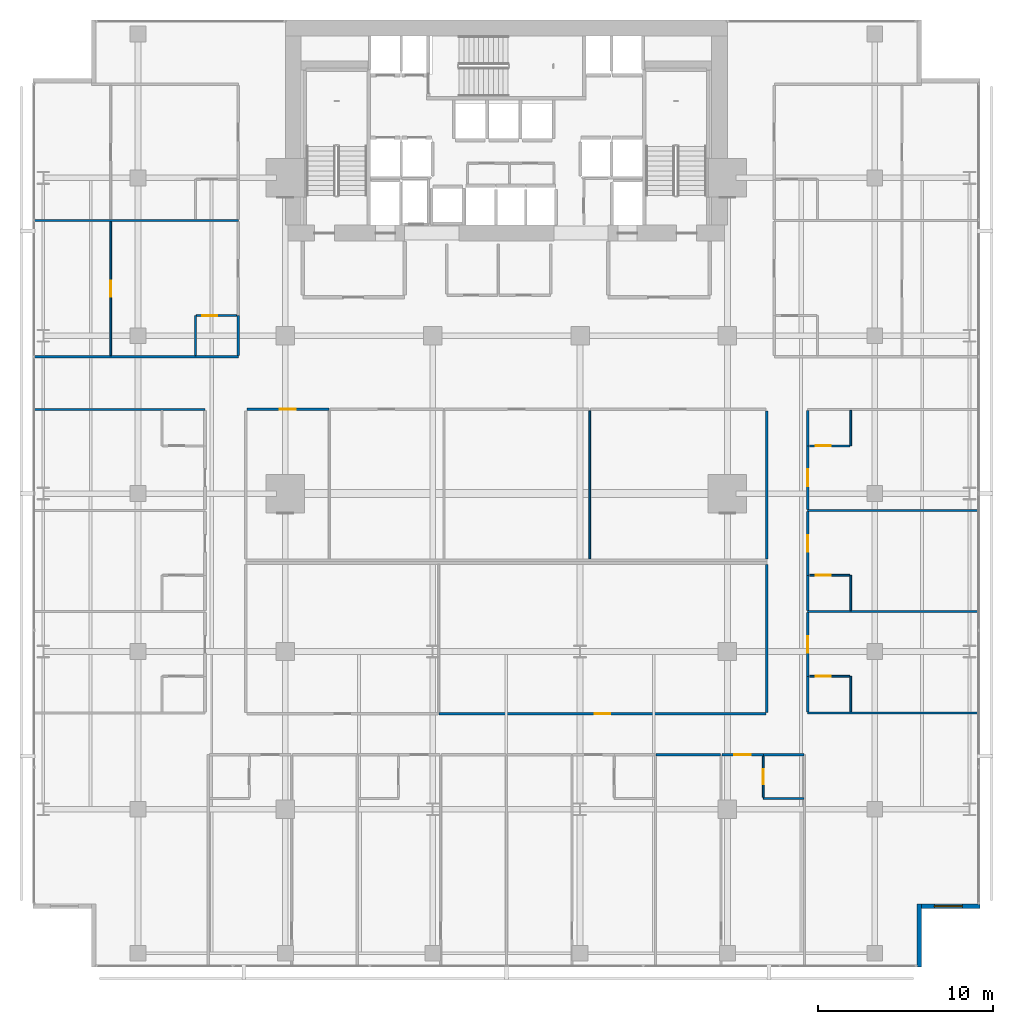
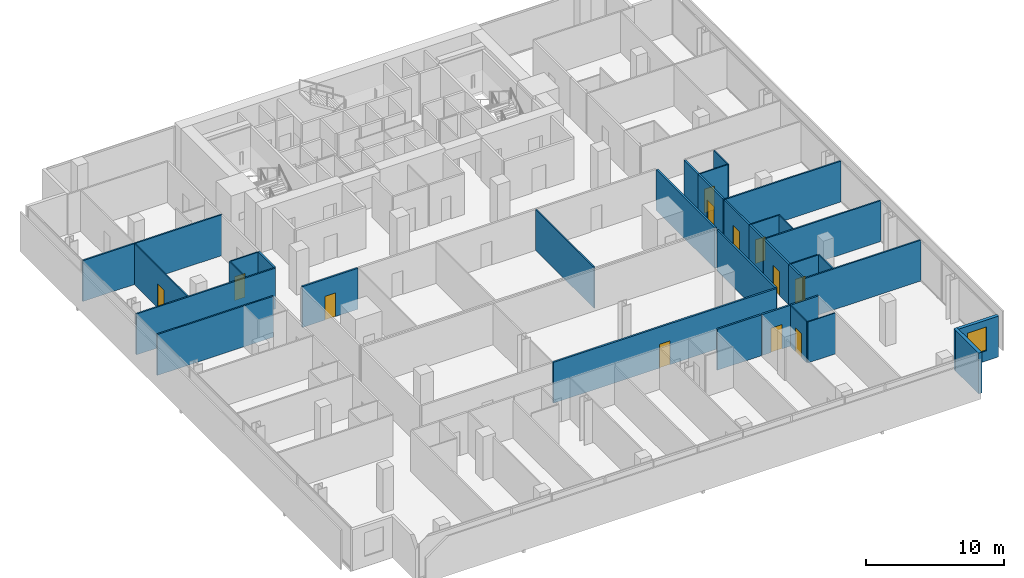
# One storey, part 34 of 40: 34 walls, 12 doors, 1 window, 13 openings.
"""IFC4 building model written with IfcOpenShell, lengths in metres."""

import ifcopenshell
import ifcopenshell.guid

model = None  # the IFC model being written
_history = None  # IfcOwnerHistory: only IFC2X3 demands one
_inside = {}  # id of a spatial element -> (the spatial element, [elements in it])
_under = {}  # id of a project, library or spatial element -> (it, [spatial elements below it])
_declared = {}  # id of a project -> (the project, [libraries it declares])
_typed = {}  # id of a type object -> (the type object, [elements of that type])
_made_of = {}  # id of a material, layer set ... -> (it, [elements and type objects made of it])


def new_model(schema):
    """Start an empty IFC model of exactly this schema.

    Asked for "IFC4X3", IfcOpenShell would pick the latest addendum, in which some entities
    have other attributes; the version numbers below select the first issue.
    IFC2X3 requires an IfcOwnerHistory on every rooted entity: one is made here for all.
    """
    global model, _history
    if schema == "IFC4X3":
        model = ifcopenshell.file(schema_version=(4, 3, 0, 0))
    else:
        model = ifcopenshell.file(schema=schema)
    _inside.clear()
    _under.clear()
    _declared.clear()
    _typed.clear()
    _made_of.clear()
    _history = None
    if model.schema == "IFC2X3":
        org = make("IfcOrganization", Name="unknown")
        user = make(
            "IfcPersonAndOrganization",
            ThePerson=make("IfcPerson", FamilyName="unknown"),
            TheOrganization=org,
        )
        app = make(
            "IfcApplication",
            ApplicationDeveloper=org,
            Version="unknown",
            ApplicationFullName="unknown",
            ApplicationIdentifier="unknown",
        )
        _history = make(
            "IfcOwnerHistory",
            OwningUser=user,
            OwningApplication=app,
            ChangeAction="ADDED",
            CreationDate=0,
        )
    return model


def make(cls, **values):
    """One entity of the class cls with the attributes given. An attribute that is None is left unset."""
    return model.create_entity(
        cls, **{name: value for name, value in values.items() if value is not None}
    )


def rooted(cls, **values):
    """An entity with a GlobalId (a new one), such as an element, a storey or a relation."""
    return make(cls, GlobalId=ifcopenshell.guid.new(), OwnerHistory=_history, **values)


def si_unit(unit_type, name, prefix=None):
    """IfcSIUnit, for example si_unit("LENGTHUNIT", "METRE", prefix="MILLI")."""
    return make("IfcSIUnit", UnitType=unit_type, Prefix=prefix, Name=name)


def assignment(units):
    """IfcUnitAssignment: the units of a project."""
    return None if units is None else make("IfcUnitAssignment", Units=units)


def point(xyz):
    """IfcCartesianPoint."""
    return None if xyz is None else make("IfcCartesianPoint", Coordinates=xyz)


def direction(xyz):
    """IfcDirection."""
    return None if xyz is None else make("IfcDirection", DirectionRatios=xyz)


def frame(location, z_axis=None, x_axis=None):
    """IfcAxis2Placement3D, a coordinate frame: its origin and axes. An axis left out is left unset."""
    return make(
        "IfcAxis2Placement3D",
        Location=point(location),
        Axis=direction(z_axis),
        RefDirection=direction(x_axis),
    )


def frame_2d(location, x_axis=None):
    """IfcAxis2Placement2D, a coordinate frame in the plane: its origin and x axis."""
    return make(
        "IfcAxis2Placement2D", Location=point(location), RefDirection=direction(x_axis)
    )


def origin():
    """The frame at (0, 0, 0) with its axes left unset."""
    return frame((0.0, 0.0, 0.0))


def place(relative_to, where):
    """IfcLocalPlacement: puts the frame where relative to a parent placement (None: the world)."""
    return make(
        "IfcLocalPlacement", PlacementRelTo=relative_to, RelativePlacement=where
    )


def context(
    kind, dimensions, precision=None, world=None, true_north=None, identifier=None
):
    """IfcGeometricRepresentationContext, for example the 3D "Model" context."""
    return make(
        "IfcGeometricRepresentationContext",
        ContextIdentifier=identifier,
        ContextType=kind,
        CoordinateSpaceDimension=dimensions,
        Precision=precision,
        WorldCoordinateSystem=world,
        TrueNorth=true_north,
    )


def subcontext(parent, identifier, kind, view, scale=None):
    """IfcGeometricRepresentationSubContext, for example "Body" below "Model"."""
    return make(
        "IfcGeometricRepresentationSubContext",
        ContextIdentifier=identifier,
        ContextType=kind,
        ParentContext=parent,
        TargetScale=scale,
        TargetView=view,
    )


def project(units=None, contexts=None):
    """IfcProject with its units and contexts."""
    return rooted(
        "IfcProject",
        Name="project",
        RepresentationContexts=contexts,
        UnitsInContext=assignment(units),
    )


def spatial(cls, under=None, at=None, **own):
    """A site, building, storey or space (cls), placed at a placement, below another one or the project."""
    s = rooted(cls, ObjectPlacement=at, **own)
    if under is not None:
        _under.setdefault(under.id(), (under, []))[1].append(s)
    return s


def profile(cls, at=None, kind="AREA", **sizes):
    """A parametric profile (cls). Its sizes go by their IFC names, for example OverallWidth=200.0."""
    return make(cls, ProfileType=kind, Position=at, **sizes)


def rectangle(**sizes):
    """IfcRectangleProfileDef."""
    return profile("IfcRectangleProfileDef", **sizes)


def extrude(swept, where, along, depth):
    """IfcExtrudedAreaSolid: the profile swept, set in the frame where, extruded along a direction by depth."""
    return make(
        "IfcExtrudedAreaSolid",
        SweptArea=swept,
        Position=where,
        ExtrudedDirection=direction(along),
        Depth=depth,
    )


def shape(context_of_items, identifier, shape_type, items):
    """IfcShapeRepresentation: the items that make up one representation, for example the "Body"."""
    return make(
        "IfcShapeRepresentation",
        ContextOfItems=context_of_items,
        RepresentationIdentifier=identifier,
        RepresentationType=shape_type,
        Items=items,
    )


def material(Name=None, Category=None):
    """IfcMaterial."""
    return make("IfcMaterial", Name=Name, Category=Category)


def layer(
    of_material, thickness, ventilated=None, Name=None, Category=None, Priority=None
):
    """IfcMaterialLayer: one layer of a wall or slab, of a material (None: an air gap)."""
    return make(
        "IfcMaterialLayer",
        Material=of_material,
        LayerThickness=thickness,
        IsVentilated=ventilated,
        Name=Name,
        Category=Category,
        Priority=Priority,
    )


def layer_set(layers, Name=None):
    """IfcMaterialLayerSet."""
    return make("IfcMaterialLayerSet", MaterialLayers=layers, LayerSetName=Name)


def made_of(thing, what):
    """Note that an element or type object is made of a material, layer set ...; save() writes the relation."""
    if what is not None:
        _made_of.setdefault(what.id(), (what, []))[1].append(thing)
    return thing


def type_object(cls, material=None, **own):
    """A type object (cls), such as IfcWallType, which elements share."""
    return made_of(rooted(cls, **own), material)


def element(
    cls,
    number,
    at=None,
    inside=None,
    cuts=None,
    type_object=None,
    material=None,
    context=None,
    identifier="Body",
    shape_type=None,
    held_by="IfcProductDefinitionShape",
    body=None,
    shapes=None,
    **own,
):
    """One element of the class cls, such as IfcWall. Its Tag is "e" and its number.

    at: its placement. inside: the storey or other place that contains it. cuts: it is an
    opening in that element (IfcRelVoidsElement). A single representation is given by context,
    identifier, shape_type and body (its items); several are given by shapes. held_by: the class
    of the entity that holds the representations. save() writes the other relations.
    """
    e = rooted(cls, Tag="e%d" % number, ObjectPlacement=at, **own)
    if body is not None:
        shapes = [shape(context, identifier, shape_type, body)]
    if shapes is not None:
        e.Representation = make(held_by, Representations=shapes)
    if inside is not None:
        _inside.setdefault(inside.id(), (inside, []))[1].append(e)
    if cuts is not None:
        rooted(
            "IfcRelVoidsElement", RelatingBuildingElement=cuts, RelatedOpeningElement=e
        )
    if type_object is not None:
        _typed.setdefault(type_object.id(), (type_object, []))[1].append(e)
    return made_of(e, material)


def fill(opening, filler):
    """IfcRelFillsElement: the door or window that sits in an opening."""
    return rooted(
        "IfcRelFillsElement",
        RelatingOpeningElement=opening,
        RelatedBuildingElement=filler,
    )


def aggregate(whole, parts):
    """IfcRelAggregates: a whole, such as a stair, and the parts it consists of."""
    return rooted("IfcRelAggregates", RelatingObject=whole, RelatedObjects=parts)


def save(model, path):
    """Write the relations noted so far, then the file.

    IfcRelAggregates (storeys below a building ...), IfcRelContainedInSpatialStructure (elements
    in a storey), IfcRelDefinesByType, IfcRelAssociatesMaterial and IfcRelDeclares: one each for
    every whole, place, type object, material and project.
    """
    for whole, parts in _under.values():
        aggregate(whole, parts)
    for where, things in _inside.values():
        rooted(
            "IfcRelContainedInSpatialStructure",
            RelatedElements=things,
            RelatingStructure=where,
        )
    for kind, things in _typed.values():
        rooted("IfcRelDefinesByType", RelatedObjects=things, RelatingType=kind)
    for what, things in _made_of.values():
        rooted("IfcRelAssociatesMaterial", RelatedObjects=things, RelatingMaterial=what)
    for by, libraries in _declared.values():
        rooted("IfcRelDeclares", RelatingContext=by, RelatedDefinitions=libraries)
    model.write(path)


model = new_model("IFC4")

# Units and contexts
model_context = context("Model", 3, precision=1e-05, world=origin(), true_north=direction((0.0, 1.0)))
body_context = subcontext(model_context, "Body", "Model", "MODEL_VIEW")
ifc_project = project(units=[si_unit("LENGTHUNIT", "METRE"), si_unit("AREAUNIT", "SQUARE_METRE"), si_unit("VOLUMEUNIT", "CUBIC_METRE"), si_unit("PLANEANGLEUNIT", "RADIAN"), si_unit("MASSUNIT", "GRAM", prefix="KILO")], contexts=[model_context])

# Site, building, storey
site_placement = place(None, origin())
site = spatial("IfcSite", under=ifc_project, at=site_placement, CompositionType="ELEMENT")
building_placement = place(site_placement, origin())
building = spatial("IfcBuilding", under=site, at=building_placement, Name="Maruvema Waterfront Hotel and Observation Tower", CompositionType="ELEMENT")
storey_placement = place(building_placement, frame((0.0, 0.0, 96.25)))
storey = spatial("IfcBuildingStorey", under=building, at=storey_placement, Name="L23", CompositionType="ELEMENT", Elevation=96.25)

# Wall
ifc_material_1 = material(Name="Twin-stud acoustic gypsum drywall", Category="gypsum")
ifc_layer_1 = layer(ifc_material_1, 0.14990234375, Name="Acoustic Corridor and Suite Demising Wall 150 mm")
ifc_layer_set_1 = layer_set([ifc_layer_1], Name="Twin-stud acoustic gypsum drywall")
wall_type_1 = type_object("IfcWallType", Name="Acoustic Corridor and Suite Demising Wall 150 mm", PredefinedType="PARTITIONING", material=ifc_layer_set_1)
wall_1_placement = place(storey_placement, frame((52.64990234375, 23.280029296875, 0.0), z_axis=(0.0, 0.0, 1.0), x_axis=(0.0, 1.0, 0.0)))
element("IfcWall", 1, at=wall_1_placement, inside=storey, type_object=wall_type_1, Name="L23 L23-INTN East Wall 024", PredefinedType="PARTITIONING", context=body_context, shape_type="SweptSolid", body=[
    extrude(rectangle(XDim=8.43994140625, YDim=0.14990234375, at=frame_2d((4.219970703125, 0.0))), origin(), (0.0, 0.0, 1.0), 3.610107421875),
])

# Wall, opening, door
wall_2_placement = place(storey_placement, frame((23.010009765625, 31.800048828125, 0.0), z_axis=(0.0, 0.0, 1.0), x_axis=(1.0, 0.0, 0.0)))
wall_2 = element("IfcWall", 2, at=wall_2_placement, inside=storey, type_object=wall_type_1, Name="L23 L23-INTN Front 1 025", PredefinedType="PARTITIONING", context=body_context, shape_type="SweptSolid", body=[
    extrude(rectangle(XDim=4.662109375, YDim=0.14990234375, at=frame_2d((2.3310546875, 0.0))), origin(), (0.0, 0.0, 1.0), 3.610107421875),
])
opening_1_placement = place(wall_2_placement, frame((1.881103515625, 0.0, 0.0)))
opening_1 = element("IfcOpeningElement", 3, at=opening_1_placement, cuts=wall_2, Name="Opening DR-090", PredefinedType="OPENING", context=body_context, shape_type="SweptSolid", body=[
    extrude(rectangle(XDim=0.89990234375, YDim=2.10009765625, at=frame_2d((0.449951171875, 1.050048828125))), frame((0.0, 0.0849609375, 0.0), z_axis=(0.0, -1.0, 0.0), x_axis=(1.0, 0.0, 0.0)), (0.0, 0.0, 1.0), 0.169921875),
])
ifc_material_2 = material(Name="Solid-core lacquered timber leaf", Category="wood")
door_type_1 = type_object("IfcDoorType", Name="Accessible Toilet and Room Door 900x2100 mm", OperationType="NOTDEFINED", PredefinedType="DOOR", material=ifc_material_2)
door_1_placement = place(opening_1_placement, origin())
door_1 = element("IfcDoor", 4, at=door_1_placement, inside=storey, type_object=door_type_1, Name="L23 Art Gallery Lounge 1 Door", OperationType="SINGLE_SWING_LEFT", OverallHeight=2.10009765625, OverallWidth=0.89990234375, PredefinedType="DOOR", context=body_context, shape_type="SweptSolid", body=[
    extrude(rectangle(XDim=0.89990234375, YDim=2.10009765625, at=frame_2d((0.449951171875, 1.050048828125))), frame((0.0, 0.02490234375, 0.0), z_axis=(0.0, -1.0, 0.0), x_axis=(1.0, 0.0, 0.0)), (0.0, 0.0, 1.0), 0.050048828125),
])
fill(opening_1, door_1)

# Wall
wall_3_placement = place(storey_placement, frame((52.64990234375, 14.530029296875, 0.0), z_axis=(0.0, 0.0, 1.0), x_axis=(0.0, 1.0, 0.0)))
element("IfcWall", 5, at=wall_3_placement, inside=storey, type_object=wall_type_1, Name="L23 L23-INTS East Wall 034", PredefinedType="PARTITIONING", context=body_context, shape_type="SweptSolid", body=[
    extrude(rectangle(XDim=8.429931640625, YDim=0.14990234375, at=frame_2d((4.21484375, 0.0))), origin(), (0.0, 0.0, 1.0), 3.610107421875),
])

# Wall, opening, door
wall_4_placement = place(storey_placement, frame((33.968994140625, 14.449951171875, 0.0), z_axis=(0.0, 0.0, 1.0), x_axis=(1.0, 0.0, 0.0)))
wall_4 = element("IfcWall", 6, at=wall_4_placement, inside=storey, type_object=wall_type_1, Name="L23 L23-INTS Front 2 037", PredefinedType="PARTITIONING", context=body_context, shape_type="SweptSolid", body=[
    extrude(rectangle(XDim=18.62109375, YDim=0.14990234375, at=frame_2d((9.310546875, 0.0))), origin(), (0.0, 0.0, 1.0), 3.610107421875),
])
opening_2_placement = place(wall_4_placement, frame((8.860595703125, 0.0, 0.0)))
opening_2 = element("IfcOpeningElement", 7, at=opening_2_placement, cuts=wall_4, Name="Opening DR-090", PredefinedType="OPENING", context=body_context, shape_type="SweptSolid", body=[
    extrude(rectangle(XDim=0.89990234375, YDim=2.10009765625, at=frame_2d((0.449951171875, 1.050048828125))), frame((0.0, 0.0849609375, 0.0), z_axis=(0.0, -1.0, 0.0), x_axis=(1.0, 0.0, 0.0)), (0.0, 0.0, 1.0), 0.169921875),
])
door_2_placement = place(opening_2_placement, frame((0.89990234375, 0.0, 0.0), z_axis=(0.0, 0.0, 1.0), x_axis=(-1.0, 0.0, 0.0)))
door_2 = element("IfcDoor", 8, at=door_2_placement, inside=storey, type_object=door_type_1, Name="L23 Housekeeping Linen Room Door", OperationType="SINGLE_SWING_RIGHT", OverallHeight=2.10009765625, OverallWidth=0.89990234375, PredefinedType="DOOR", context=body_context, shape_type="SweptSolid", body=[
    extrude(rectangle(XDim=0.89990234375, YDim=2.10009765625, at=frame_2d((0.449951171875, 1.050048828125))), frame((0.0, 0.02490234375, 0.0), z_axis=(0.0, -1.0, 0.0), x_axis=(1.0, 0.0, 0.0)), (0.0, 0.0, 1.0), 0.050048828125),
])
fill(opening_2, door_2)

# Walls
wall_5_placement = place(storey_placement, frame((52.449951171875, 12.1201171875, 0.0), z_axis=(0.0, 0.0, 1.0), x_axis=(1.0, 0.0, 0.0)))
element("IfcWall", 9, at=wall_5_placement, inside=storey, type_object=wall_type_1, Name="L23 Bath L23-S4 Back Wall 061", PredefinedType="PARTITIONING", context=body_context, shape_type="SweptSolid", body=[
    extrude(rectangle(XDim=2.330078125, YDim=0.14990234375, at=frame_2d((1.1650390625, 0.0))), origin(), (0.0, 0.0, 1.0), 3.610107421875),
])
wall_6_placement = place(storey_placement, frame((46.320068359375, 12.1201171875, 0.0), z_axis=(0.0, 0.0, 1.0), x_axis=(1.0, 0.0, 0.0)))
element("IfcWall", 10, at=wall_6_placement, inside=storey, type_object=wall_type_1, Name="L23 Bedroom L23-S4 Back Wall 064", PredefinedType="PARTITIONING", context=body_context, shape_type="SweptSolid", body=[
    extrude(rectangle(XDim=3.679931640625, YDim=0.14990234375, at=frame_2d((1.83984375, 0.0))), origin(), (0.0, 0.0, 1.0), 3.610107421875),
])

# Wall, opening, door
wall_7_placement = place(storey_placement, frame((50.080078125, 12.1201171875, 0.0), z_axis=(0.0, 0.0, 1.0), x_axis=(1.0, 0.0, 0.0)))
wall_7 = element("IfcWall", 11, at=wall_7_placement, inside=storey, type_object=wall_type_1, Name="L23 Unit L23-S4 Corridor Wall 065", PredefinedType="PARTITIONING", context=body_context, shape_type="SweptSolid", body=[
    extrude(rectangle(XDim=2.369873046875, YDim=0.14990234375, at=frame_2d((1.18505859375, 0.0))), origin(), (0.0, 0.0, 1.0), 3.610107421875),
])
opening_3_placement = place(wall_7_placement, frame((0.7099609375, 0.0, 0.0)))
opening_3 = element("IfcOpeningElement", 12, at=opening_3_placement, cuts=wall_7, Name="Opening DR-095", PredefinedType="OPENING", context=body_context, shape_type="SweptSolid", body=[
    extrude(rectangle(XDim=0.949951171875, YDim=2.14990234375, at=frame_2d((0.47509765625, 1.074951171875))), frame((0.0, 0.0849609375, 0.0), z_axis=(0.0, -1.0, 0.0), x_axis=(1.0, 0.0, 0.0)), (0.0, 0.0, 1.0), 0.169921875),
])
ifc_material_3 = material(Name="Acoustic solid-core hardwood timber leaf", Category="wood")
door_type_2 = type_object("IfcDoorType", Name="Guestroom Entrance Fire Door 950x2150 mm", OperationType="NOTDEFINED", PredefinedType="DOOR", material=ifc_material_3)
door_3_placement = place(opening_3_placement, frame((0.949951171875, 0.0, 0.0), z_axis=(0.0, 0.0, 1.0), x_axis=(-1.0, 0.0, 0.0)))
door_3 = element("IfcDoor", 13, at=door_3_placement, inside=storey, type_object=door_type_2, Name="L23 Unit L23-S4 Entrance Door", OperationType="SINGLE_SWING_LEFT", OverallHeight=2.14990234375, OverallWidth=0.949951171875, PredefinedType="DOOR", context=body_context, shape_type="SweptSolid", body=[
    extrude(rectangle(XDim=0.949951171875, YDim=2.14990234375, at=frame_2d((0.47509765625, 1.074951171875))), frame((0.0, 0.02490234375, 0.0), z_axis=(0.0, -1.0, 0.0), x_axis=(1.0, 0.0, 0.0)), (0.0, 0.0, 1.0), 0.050048828125),
])
fill(opening_3, door_3)

# Wall
wall_8_placement = place(storey_placement, frame((54.97998046875, 14.56005859375, 0.0), z_axis=(0.0, 0.0, 1.0), x_axis=(0.0, 1.0, 0.0)))
element("IfcWall", 14, at=wall_8_placement, inside=storey, type_object=wall_type_1, Name="L23 Bath L23-E1 Wall 075", PredefinedType="PARTITIONING", context=body_context, shape_type="SweptSolid", body=[
    extrude(rectangle(XDim=2.02001953125, YDim=0.14990234375, at=frame_2d((1.010009765625, 0.0))), origin(), (0.0, 0.0, 1.0), 3.610107421875),
])

# Wall, opening, door
wall_9_placement = place(storey_placement, frame((54.97998046875, 16.580078125, 0.0), z_axis=(0.0, 0.0, 1.0), x_axis=(0.0, 1.0, 0.0)))
wall_9 = element("IfcWall", 15, at=wall_9_placement, inside=storey, type_object=wall_type_1, Name="L23 Room L23-E1 Corridor Wall 076", PredefinedType="PARTITIONING", context=body_context, shape_type="SweptSolid", body=[
    extrude(rectangle(XDim=3.6298828125, YDim=0.14990234375, at=frame_2d((1.81494140625, 0.0))), origin(), (0.0, 0.0, 1.0), 3.610107421875),
])
opening_4_placement = place(wall_9_placement, frame((1.340087890625, 0.0, 0.0)))
opening_4 = element("IfcOpeningElement", 16, at=opening_4_placement, cuts=wall_9, Name="Opening DR-095", PredefinedType="OPENING", context=body_context, shape_type="SweptSolid", body=[
    extrude(rectangle(XDim=0.949951171875, YDim=2.14990234375, at=frame_2d((0.47509765625, 1.074951171875))), frame((0.0, 0.0849609375, 0.0), z_axis=(0.0, -1.0, 0.0), x_axis=(1.0, 0.0, 0.0)), (0.0, 0.0, 1.0), 0.169921875),
])
door_4_placement = place(opening_4_placement, frame((0.949951171875, 0.0, 0.0), z_axis=(0.0, 0.0, 1.0), x_axis=(-1.0, 0.0, 0.0)))
door_4 = element("IfcDoor", 17, at=door_4_placement, inside=storey, type_object=door_type_2, Name="L23 Room L23-E1 Entrance Door", OperationType="SINGLE_SWING_RIGHT", OverallHeight=2.14990234375, OverallWidth=0.949951171875, PredefinedType="DOOR", context=body_context, shape_type="SweptSolid", body=[
    extrude(rectangle(XDim=0.949951171875, YDim=2.14990234375, at=frame_2d((0.47509765625, 1.074951171875))), frame((0.0, 0.02490234375, 0.0), z_axis=(0.0, -1.0, 0.0), x_axis=(1.0, 0.0, 0.0)), (0.0, 0.0, 1.0), 0.050048828125),
])
fill(opening_4, door_4)

# Wall
wall_10_placement = place(storey_placement, frame((54.97998046875, 20.330078125, 0.0), z_axis=(0.0, 0.0, 1.0), x_axis=(0.0, 1.0, 0.0)))
element("IfcWall", 18, at=wall_10_placement, inside=storey, type_object=wall_type_1, Name="L23 Bath L23-E2 Wall 085", PredefinedType="PARTITIONING", context=body_context, shape_type="SweptSolid", body=[
    extrude(rectangle(XDim=2.010009765625, YDim=0.14990234375, at=frame_2d((1.0048828125, 0.0))), origin(), (0.0, 0.0, 1.0), 3.610107421875),
])

# Wall, opening, door
wall_11_placement = place(storey_placement, frame((54.97998046875, 22.340087890625, 0.0), z_axis=(0.0, 0.0, 1.0), x_axis=(0.0, 1.0, 0.0)))
wall_11 = element("IfcWall", 19, at=wall_11_placement, inside=storey, type_object=wall_type_1, Name="L23 Room L23-E2 Corridor Wall 086", PredefinedType="PARTITIONING", context=body_context, shape_type="SweptSolid", body=[
    extrude(rectangle(XDim=3.6298828125, YDim=0.14990234375, at=frame_2d((1.81494140625, 0.0))), origin(), (0.0, 0.0, 1.0), 3.610107421875),
])
opening_5_placement = place(wall_11_placement, frame((1.340087890625, 0.0, 0.0)))
opening_5 = element("IfcOpeningElement", 20, at=opening_5_placement, cuts=wall_11, Name="Opening DR-095", PredefinedType="OPENING", context=body_context, shape_type="SweptSolid", body=[
    extrude(rectangle(XDim=0.949951171875, YDim=2.14990234375, at=frame_2d((0.47509765625, 1.074951171875))), frame((0.0, 0.0849609375, 0.0), z_axis=(0.0, -1.0, 0.0), x_axis=(1.0, 0.0, 0.0)), (0.0, 0.0, 1.0), 0.169921875),
])
door_5_placement = place(opening_5_placement, frame((0.949951171875, 0.0, 0.0), z_axis=(0.0, 0.0, 1.0), x_axis=(-1.0, 0.0, 0.0)))
door_5 = element("IfcDoor", 21, at=door_5_placement, inside=storey, type_object=door_type_2, Name="L23 Room L23-E2 Entrance Door", OperationType="SINGLE_SWING_RIGHT", OverallHeight=2.14990234375, OverallWidth=0.949951171875, PredefinedType="DOOR", context=body_context, shape_type="SweptSolid", body=[
    extrude(rectangle(XDim=0.949951171875, YDim=2.14990234375, at=frame_2d((0.47509765625, 1.074951171875))), frame((0.0, 0.02490234375, 0.0), z_axis=(0.0, -1.0, 0.0), x_axis=(1.0, 0.0, 0.0)), (0.0, 0.0, 1.0), 0.050048828125),
])
fill(opening_5, door_5)

wall_12_placement = place(storey_placement, frame((54.97998046875, 26.090087890625, 0.0), z_axis=(0.0, 0.0, 1.0), x_axis=(0.0, 1.0, 0.0)))
wall_12 = element("IfcWall", 22, at=wall_12_placement, inside=storey, type_object=wall_type_1, Name="L23 Room L23-E3 Corridor Wall 095", PredefinedType="PARTITIONING", context=body_context, shape_type="SweptSolid", body=[
    extrude(rectangle(XDim=3.6298828125, YDim=0.14990234375, at=frame_2d((1.81494140625, 0.0))), origin(), (0.0, 0.0, 1.0), 3.610107421875),
])
opening_6_placement = place(wall_12_placement, frame((1.340087890625, 0.0, 0.0)))
opening_6 = element("IfcOpeningElement", 23, at=opening_6_placement, cuts=wall_12, Name="Opening DR-095", PredefinedType="OPENING", context=body_context, shape_type="SweptSolid", body=[
    extrude(rectangle(XDim=0.949951171875, YDim=2.14990234375, at=frame_2d((0.47509765625, 1.074951171875))), frame((0.0, 0.0849609375, 0.0), z_axis=(0.0, -1.0, 0.0), x_axis=(1.0, 0.0, 0.0)), (0.0, 0.0, 1.0), 0.169921875),
])
door_6_placement = place(opening_6_placement, frame((0.949951171875, 0.0, 0.0), z_axis=(0.0, 0.0, 1.0), x_axis=(-1.0, 0.0, 0.0)))
door_6 = element("IfcDoor", 24, at=door_6_placement, inside=storey, type_object=door_type_2, Name="L23 Room L23-E3 Entrance Door", OperationType="SINGLE_SWING_RIGHT", OverallHeight=2.14990234375, OverallWidth=0.949951171875, PredefinedType="DOOR", context=body_context, shape_type="SweptSolid", body=[
    extrude(rectangle(XDim=0.949951171875, YDim=2.14990234375, at=frame_2d((0.47509765625, 1.074951171875))), frame((0.0, 0.02490234375, 0.0), z_axis=(0.0, -1.0, 0.0), x_axis=(1.0, 0.0, 0.0)), (0.0, 0.0, 1.0), 0.050048828125),
])
fill(opening_6, door_6)

# Walls
wall_13_placement = place(storey_placement, frame((54.97998046875, 29.719970703125, 0.0), z_axis=(0.0, 0.0, 1.0), x_axis=(0.0, 1.0, 0.0)))
element("IfcWall", 25, at=wall_13_placement, inside=storey, type_object=wall_type_1, Name="L23 Bath L23-E3 Wall 096", PredefinedType="PARTITIONING", context=body_context, shape_type="SweptSolid", body=[
    extrude(rectangle(XDim=2.02001953125, YDim=0.14990234375, at=frame_2d((1.010009765625, 0.0))), origin(), (0.0, 0.0, 1.0), 3.610107421875),
])
wall_14_placement = place(storey_placement, frame((22.52001953125, 34.860107421875, 0.0), z_axis=(0.0, 0.0, 1.0), x_axis=(0.0, 1.0, 0.0)))
element("IfcWall", 26, at=wall_14_placement, inside=storey, type_object=wall_type_1, Name="L23 Bath L23-NW1 Wall 103", PredefinedType="PARTITIONING", context=body_context, shape_type="SweptSolid", body=[
    extrude(rectangle(XDim=2.289794921875, YDim=0.14990234375, at=frame_2d((1.14501953125, 0.0))), origin(), (0.0, 0.0, 1.0), 3.610107421875),
])
ifc_material_4 = material(Name="Moisture-resistant cement-board drywall", Category="gypsum")
ifc_layer_2 = layer(ifc_material_4, 0.10009765625, Name="En-Suite Moisture-Resistant Partition 100 mm")
ifc_layer_set_2 = layer_set([ifc_layer_2], Name="Moisture-resistant cement-board drywall")
wall_type_2 = type_object("IfcWallType", Name="En-Suite Moisture-Resistant Partition 100 mm", PredefinedType="PARTITIONING", material=ifc_layer_set_2)
wall_15_placement = place(storey_placement, frame((42.552001953125, 23.280029296875, 0.0), z_axis=(0.0, 0.0, 1.0), x_axis=(0.0, 1.0, 0.0)))
element("IfcWall", 27, at=wall_15_placement, inside=storey, type_object=wall_type_2, Name="L23 L23-INTN Split 3 030", PredefinedType="PARTITIONING", context=body_context, shape_type="SweptSolid", body=[
    extrude(rectangle(XDim=8.43994140625, YDim=0.10009765625, at=frame_2d((4.219970703125, 0.0))), origin(), (0.0, 0.0, 1.0), 3.610107421875),
])
wall_16_placement = place(storey_placement, frame((52.449951171875, 9.6201171875, 0.0), z_axis=(0.0, 0.0, 1.0), x_axis=(1.0, 0.0, 0.0)))
element("IfcWall", 28, at=wall_16_placement, inside=storey, type_object=wall_type_2, Name="L23 En-Suite L23-S4 South 062", PredefinedType="PARTITIONING", context=body_context, shape_type="SweptSolid", body=[
    extrude(rectangle(XDim=2.31005859375, YDim=0.10009765625, at=frame_2d((1.155029296875, 0.0))), origin(), (0.0, 0.0, 1.0), 3.610107421875),
])

# Wall, opening, door
wall_17_placement = place(storey_placement, frame((52.449951171875, 9.679931640625, 0.0), z_axis=(0.0, 0.0, 1.0), x_axis=(0.0, 1.0, 0.0)))
wall_17 = element("IfcWall", 29, at=wall_17_placement, inside=storey, type_object=wall_type_2, Name="L23 En-Suite L23-S4 West 063", PredefinedType="PARTITIONING", context=body_context, shape_type="SweptSolid", body=[
    extrude(rectangle(XDim=2.340087890625, YDim=0.10009765625, at=frame_2d((1.169921875, 0.0))), origin(), (0.0, 0.0, 1.0), 3.610107421875),
])
opening_7_placement = place(wall_17_placement, frame((0.7451171875, 0.0, 0.0)))
opening_7 = element("IfcOpeningElement", 30, at=opening_7_placement, cuts=wall_17, Name="Opening DR-085", PredefinedType="OPENING", context=body_context, shape_type="SweptSolid", body=[
    extrude(rectangle(XDim=0.85009765625, YDim=2.10009765625, at=frame_2d((0.425048828125, 1.050048828125))), frame((0.0, 0.06005859375, 0.0), z_axis=(0.0, -1.0, 0.0), x_axis=(1.0, 0.0, 0.0)), (0.0, 0.0, 1.0), 0.1201171875),
])
ifc_material_5 = material(Name="Moisture-resistant solid timber leaf", Category="wood")
door_type_3 = type_object("IfcDoorType", Name="En-Suite Bathroom Door 850x2100 mm", OperationType="NOTDEFINED", PredefinedType="DOOR", material=ifc_material_5)
door_7_placement = place(opening_7_placement, origin())
door_7 = element("IfcDoor", 31, at=door_7_placement, inside=storey, type_object=door_type_3, Name="L23 En-Suite L23-S4 Door", OperationType="SINGLE_SWING_RIGHT", OverallHeight=2.10009765625, OverallWidth=0.85009765625, PredefinedType="DOOR", context=body_context, shape_type="SweptSolid", body=[
    extrude(rectangle(XDim=0.85009765625, YDim=2.10009765625, at=frame_2d((0.425048828125, 1.050048828125))), frame((0.0, 0.02490234375, 0.0), z_axis=(0.0, -1.0, 0.0), x_axis=(1.0, 0.0, 0.0)), (0.0, 0.0, 1.0), 0.050048828125),
])
fill(opening_7, door_7)

# Wall
wall_18_placement = place(storey_placement, frame((57.429931640625, 14.56005859375, 0.0), z_axis=(0.0, 0.0, 1.0), x_axis=(0.0, 1.0, 0.0)))
element("IfcWall", 32, at=wall_18_placement, inside=storey, type_object=wall_type_2, Name="L23 En-Suite L23-E1 E 077", PredefinedType="PARTITIONING", context=body_context, shape_type="SweptSolid", body=[
    extrude(rectangle(XDim=2.02001953125, YDim=0.10009765625, at=frame_2d((1.010009765625, 0.0))), origin(), (0.0, 0.0, 1.0), 3.610107421875),
])

# Wall, opening, door
wall_19_placement = place(storey_placement, frame((55.080078125, 16.580078125, 0.0), z_axis=(0.0, 0.0, 1.0), x_axis=(1.0, 0.0, 0.0)))
wall_19 = element("IfcWall", 33, at=wall_19_placement, inside=storey, type_object=wall_type_2, Name="L23 En-Suite L23-E1 N 078", PredefinedType="PARTITIONING", context=body_context, shape_type="SweptSolid", body=[
    extrude(rectangle(XDim=2.2998046875, YDim=0.10009765625, at=frame_2d((1.14990234375, 0.0))), origin(), (0.0, 0.0, 1.0), 3.610107421875),
])
opening_8_placement = place(wall_19_placement, frame((0.35009765625, 0.0, 0.0)))
opening_8 = element("IfcOpeningElement", 34, at=opening_8_placement, cuts=wall_19, Name="Opening DR-085", PredefinedType="OPENING", context=body_context, shape_type="SweptSolid", body=[
    extrude(rectangle(XDim=0.85009765625, YDim=2.10009765625, at=frame_2d((0.425048828125, 1.050048828125))), frame((0.0, 0.06005859375, 0.0), z_axis=(0.0, -1.0, 0.0), x_axis=(1.0, 0.0, 0.0)), (0.0, 0.0, 1.0), 0.1201171875),
])
door_8_placement = place(opening_8_placement, origin())
door_8 = element("IfcDoor", 35, at=door_8_placement, inside=storey, type_object=door_type_3, Name="L23 En-Suite L23-E1 Door", OperationType="SINGLE_SWING_LEFT", OverallHeight=2.10009765625, OverallWidth=0.85009765625, PredefinedType="DOOR", context=body_context, shape_type="SweptSolid", body=[
    extrude(rectangle(XDim=0.85009765625, YDim=2.10009765625, at=frame_2d((0.425048828125, 1.050048828125))), frame((0.0, 0.02490234375, 0.0), z_axis=(0.0, -1.0, 0.0), x_axis=(1.0, 0.0, 0.0)), (0.0, 0.0, 1.0), 0.050048828125),
])
fill(opening_8, door_8)

# Wall
wall_20_placement = place(storey_placement, frame((57.429931640625, 20.330078125, 0.0), z_axis=(0.0, 0.0, 1.0), x_axis=(0.0, 1.0, 0.0)))
element("IfcWall", 36, at=wall_20_placement, inside=storey, type_object=wall_type_2, Name="L23 En-Suite L23-E2 E 087", PredefinedType="PARTITIONING", context=body_context, shape_type="SweptSolid", body=[
    extrude(rectangle(XDim=2.010009765625, YDim=0.10009765625, at=frame_2d((1.0048828125, 0.0))), origin(), (0.0, 0.0, 1.0), 3.610107421875),
])

# Wall, opening, door
wall_21_placement = place(storey_placement, frame((55.080078125, 22.340087890625, 0.0), z_axis=(0.0, 0.0, 1.0), x_axis=(1.0, 0.0, 0.0)))
wall_21 = element("IfcWall", 37, at=wall_21_placement, inside=storey, type_object=wall_type_2, Name="L23 En-Suite L23-E2 N 088", PredefinedType="PARTITIONING", context=body_context, shape_type="SweptSolid", body=[
    extrude(rectangle(XDim=2.2998046875, YDim=0.10009765625, at=frame_2d((1.14990234375, 0.0))), origin(), (0.0, 0.0, 1.0), 3.610107421875),
])
opening_9_placement = place(wall_21_placement, frame((0.35009765625, 0.0, 0.0)))
opening_9 = element("IfcOpeningElement", 38, at=opening_9_placement, cuts=wall_21, Name="Opening DR-085", PredefinedType="OPENING", context=body_context, shape_type="SweptSolid", body=[
    extrude(rectangle(XDim=0.85009765625, YDim=2.10009765625, at=frame_2d((0.425048828125, 1.050048828125))), frame((0.0, 0.06005859375, 0.0), z_axis=(0.0, -1.0, 0.0), x_axis=(1.0, 0.0, 0.0)), (0.0, 0.0, 1.0), 0.1201171875),
])
door_9_placement = place(opening_9_placement, origin())
door_9 = element("IfcDoor", 39, at=door_9_placement, inside=storey, type_object=door_type_3, Name="L23 En-Suite L23-E2 Door", OperationType="SINGLE_SWING_LEFT", OverallHeight=2.10009765625, OverallWidth=0.85009765625, PredefinedType="DOOR", context=body_context, shape_type="SweptSolid", body=[
    extrude(rectangle(XDim=0.85009765625, YDim=2.10009765625, at=frame_2d((0.425048828125, 1.050048828125))), frame((0.0, 0.02490234375, 0.0), z_axis=(0.0, -1.0, 0.0), x_axis=(1.0, 0.0, 0.0)), (0.0, 0.0, 1.0), 0.050048828125),
])
fill(opening_9, door_9)

# Wall
wall_22_placement = place(storey_placement, frame((57.429931640625, 29.719970703125, 0.0), z_axis=(0.0, 0.0, 1.0), x_axis=(0.0, 1.0, 0.0)))
element("IfcWall", 40, at=wall_22_placement, inside=storey, type_object=wall_type_2, Name="L23 En-Suite L23-E3 E 097", PredefinedType="PARTITIONING", context=body_context, shape_type="SweptSolid", body=[
    extrude(rectangle(XDim=2.02001953125, YDim=0.10009765625, at=frame_2d((1.010009765625, 0.0))), origin(), (0.0, 0.0, 1.0), 3.610107421875),
])

# Wall, opening, door
wall_23_placement = place(storey_placement, frame((55.080078125, 29.719970703125, 0.0), z_axis=(0.0, 0.0, 1.0), x_axis=(1.0, 0.0, 0.0)))
wall_23 = element("IfcWall", 41, at=wall_23_placement, inside=storey, type_object=wall_type_2, Name="L23 En-Suite L23-E3 S 098", PredefinedType="PARTITIONING", context=body_context, shape_type="SweptSolid", body=[
    extrude(rectangle(XDim=2.2998046875, YDim=0.10009765625, at=frame_2d((1.14990234375, 0.0))), origin(), (0.0, 0.0, 1.0), 3.610107421875),
])
opening_10_placement = place(wall_23_placement, frame((0.35009765625, 0.0, 0.0)))
opening_10 = element("IfcOpeningElement", 42, at=opening_10_placement, cuts=wall_23, Name="Opening DR-085", PredefinedType="OPENING", context=body_context, shape_type="SweptSolid", body=[
    extrude(rectangle(XDim=0.85009765625, YDim=2.10009765625, at=frame_2d((0.425048828125, 1.050048828125))), frame((0.0, 0.06005859375, 0.0), z_axis=(0.0, -1.0, 0.0), x_axis=(1.0, 0.0, 0.0)), (0.0, 0.0, 1.0), 0.1201171875),
])
door_10_placement = place(opening_10_placement, frame((0.85009765625, 0.0, 0.0), z_axis=(0.0, 0.0, 1.0), x_axis=(-1.0, 0.0, 0.0)))
door_10 = element("IfcDoor", 43, at=door_10_placement, inside=storey, type_object=door_type_3, Name="L23 En-Suite L23-E3 Door", OperationType="SINGLE_SWING_LEFT", OverallHeight=2.10009765625, OverallWidth=0.85009765625, PredefinedType="DOOR", context=body_context, shape_type="SweptSolid", body=[
    extrude(rectangle(XDim=0.85009765625, YDim=2.10009765625, at=frame_2d((0.425048828125, 1.050048828125))), frame((0.0, 0.02490234375, 0.0), z_axis=(0.0, -1.0, 0.0), x_axis=(1.0, 0.0, 0.0)), (0.0, 0.0, 1.0), 0.050048828125),
])
fill(opening_10, door_10)

# Wall
wall_24_placement = place(storey_placement, frame((20.070068359375, 34.860107421875, 0.0), z_axis=(0.0, 0.0, 1.0), x_axis=(0.0, 1.0, 0.0)))
element("IfcWall", 44, at=wall_24_placement, inside=storey, type_object=wall_type_2, Name="L23 En-Suite L23-NW1 W 105", PredefinedType="PARTITIONING", context=body_context, shape_type="SweptSolid", body=[
    extrude(rectangle(XDim=2.289794921875, YDim=0.10009765625, at=frame_2d((1.14501953125, 0.0))), origin(), (0.0, 0.0, 1.0), 3.610107421875),
])

# Wall, opening, door
wall_25_placement = place(storey_placement, frame((20.1201171875, 37.14990234375, 0.0), z_axis=(0.0, 0.0, 1.0), x_axis=(1.0, 0.0, 0.0)))
wall_25 = element("IfcWall", 45, at=wall_25_placement, inside=storey, type_object=wall_type_2, Name="L23 En-Suite L23-NW1 N 106", PredefinedType="PARTITIONING", context=body_context, shape_type="SweptSolid", body=[
    extrude(rectangle(XDim=2.2998046875, YDim=0.10009765625, at=frame_2d((1.14990234375, 0.0))), origin(), (0.0, 0.0, 1.0), 3.610107421875),
])
opening_11_placement = place(wall_25_placement, frame((0.35009765625, 0.0, 0.0)))
opening_11 = element("IfcOpeningElement", 46, at=opening_11_placement, cuts=wall_25, Name="Opening DR-085", PredefinedType="OPENING", context=body_context, shape_type="SweptSolid", body=[
    extrude(rectangle(XDim=0.85009765625, YDim=2.10009765625, at=frame_2d((0.425048828125, 1.050048828125))), frame((0.0, 0.06005859375, 0.0), z_axis=(0.0, -1.0, 0.0), x_axis=(1.0, 0.0, 0.0)), (0.0, 0.0, 1.0), 0.1201171875),
])
door_11_placement = place(opening_11_placement, origin())
door_11 = element("IfcDoor", 47, at=door_11_placement, inside=storey, type_object=door_type_3, Name="L23 En-Suite L23-NW1 Door", OperationType="SINGLE_SWING_LEFT", OverallHeight=2.10009765625, OverallWidth=0.85009765625, PredefinedType="DOOR", context=body_context, shape_type="SweptSolid", body=[
    extrude(rectangle(XDim=0.85009765625, YDim=2.10009765625, at=frame_2d((0.425048828125, 1.050048828125))), frame((0.0, 0.02490234375, 0.0), z_axis=(0.0, -1.0, 0.0), x_axis=(1.0, 0.0, 0.0)), (0.0, 0.0, 1.0), 0.050048828125),
])
fill(opening_11, door_11)

wall_26_placement = place(storey_placement, frame((15.24951171875, 34.860107421875, 0.0), z_axis=(0.0, 0.0, 1.0), x_axis=(0.0, 1.0, 0.0)))
wall_26 = element("IfcWall", 48, at=wall_26_placement, inside=storey, type_object=wall_type_2, Name="L23 Suite L23-NW1 Split 107", PredefinedType="PARTITIONING", context=body_context, shape_type="SweptSolid", body=[
    extrude(rectangle(XDim=7.648681640625, YDim=0.10009765625, at=frame_2d((3.82421875, 0.0))), origin(), (0.0, 0.0, 1.0), 3.610107421875),
])
opening_12_placement = place(wall_26_placement, frame((3.374267578125, 0.0, 0.0)))
opening_12 = element("IfcOpeningElement", 49, at=opening_12_placement, cuts=wall_26, Name="Opening DR-090", PredefinedType="OPENING", context=body_context, shape_type="SweptSolid", body=[
    extrude(rectangle(XDim=0.89990234375, YDim=2.10009765625, at=frame_2d((0.449951171875, 1.050048828125))), frame((0.0, 0.06005859375, 0.0), z_axis=(0.0, -1.0, 0.0), x_axis=(1.0, 0.0, 0.0)), (0.0, 0.0, 1.0), 0.1201171875),
])
door_12_placement = place(opening_12_placement, origin())
door_12 = element("IfcDoor", 50, at=door_12_placement, inside=storey, type_object=door_type_1, Name="L23 Suite L23-NW1 Bedroom Door", OperationType="SINGLE_SWING_LEFT", OverallHeight=2.10009765625, OverallWidth=0.89990234375, PredefinedType="DOOR", context=body_context, shape_type="SweptSolid", body=[
    extrude(rectangle(XDim=0.89990234375, YDim=2.10009765625, at=frame_2d((0.449951171875, 1.050048828125))), frame((0.0, 0.02490234375, 0.0), z_axis=(0.0, -1.0, 0.0), x_axis=(1.0, 0.0, 0.0)), (0.0, 0.0, 1.0), 0.050048828125),
])
fill(opening_12, door_12)

# Wall
ifc_material_6 = material(Name="Precast concrete C45/55 with honed Pernambuco granite facing", Category="masonry")
ifc_layer_3 = layer(ifc_material_6, 0.260009765625, Name="Exterior Granite Clad Spandrel and Pier Wall 260 mm")
ifc_layer_set_3 = layer_set([ifc_layer_3], Name="Precast concrete C45/55 with honed Pernambuco granite facing")
wall_type_3 = type_object("IfcWallType", Name="Exterior Granite Clad Spandrel and Pier Wall 260 mm", PredefinedType="SOLIDWALL", material=ifc_layer_set_3)
wall_27_placement = place(storey_placement, frame((61.330078125, 3.60009765625, 0.0), z_axis=(0.0, 0.0, 1.0), x_axis=(0.0, -1.0, 0.0)))
element("IfcWall", 51, at=wall_27_placement, inside=storey, type_object=wall_type_3, Name="L23 Corner Notch Granite Pier Wall SE1", PredefinedType="SOLIDWALL", context=body_context, shape_type="SweptSolid", body=[
    extrude(rectangle(XDim=3.60009765625, YDim=0.260009765625, at=frame_2d((1.800048828125, 0.0))), origin(), (0.0, 0.0, 1.0), 3.610107421875),
])

# Wall, opening, window
wall_28_placement = place(storey_placement, frame((64.800048828125, 3.469970703125, 0.0), z_axis=(0.0, 0.0, 1.0), x_axis=(-1.0, 0.0, 0.0)))
wall_28 = element("IfcWall", 52, at=wall_28_placement, inside=storey, type_object=wall_type_3, Name="L23 Corner Notch Granite Pier Wall SE2", PredefinedType="SOLIDWALL", context=body_context, shape_type="SweptSolid", body=[
    extrude(rectangle(XDim=3.60009765625, YDim=0.260009765625, at=frame_2d((1.800048828125, 0.0))), origin(), (0.0, 0.0, 1.0), 3.610107421875),
])
opening_13_placement = place(wall_28_placement, frame((1.0, 0.0, 0.89990234375)))
opening_13 = element("IfcOpeningElement", 53, at=opening_13_placement, cuts=wall_28, Name="Opening WN-01", PredefinedType="OPENING", context=body_context, shape_type="SweptSolid", body=[
    extrude(rectangle(XDim=1.60009765625, YDim=2.10009765625, at=frame_2d((0.800048828125, 1.050048828125))), frame((0.0, 0.14013671875, 0.0), z_axis=(0.0, -1.0, 0.0), x_axis=(1.0, 0.0, 0.0)), (0.0, 0.0, 1.0), 0.280029296875),
])
ifc_material_7 = material(Name="Anodised bronze aluminium frame with laminated low-E glass", Category="aluminium")
window_type = type_object("IfcWindowType", Name="Corner Notch Feature Window 1600x2100 mm", PartitioningType="SINGLE_PANEL", PredefinedType="WINDOW", material=ifc_material_7)
window_placement = place(opening_13_placement, origin())
window = element("IfcWindow", 54, at=window_placement, inside=storey, type_object=window_type, Name="L23 Corner Notch Punched Window SE2", OverallHeight=2.10009765625, OverallWidth=1.60009765625, PartitioningType="SINGLE_PANEL", PredefinedType="WINDOW", context=body_context, shape_type="SweptSolid", body=[
    extrude(rectangle(XDim=1.60009765625, YDim=2.10009765625, at=frame_2d((0.800048828125, 1.050048828125))), frame((0.0, 0.030029296875, 0.0), z_axis=(0.0, -1.0, 0.0), x_axis=(1.0, 0.0, 0.0)), (0.0, 0.0, 1.0), 0.06005859375),
])
fill(opening_13, window)

# Walls
ifc_material_8 = material(Name="Acoustic gypsum plasterboard drywall", Category="gypsum")
ifc_layer_4 = layer(ifc_material_8, 0.125, Name="Guestroom Acoustic Demising Wall 125 mm")
ifc_layer_set_4 = layer_set([ifc_layer_4], Name="Acoustic gypsum plasterboard drywall")
wall_type_4 = type_object("IfcWallType", Name="Guestroom Acoustic Demising Wall 125 mm", PredefinedType="PARTITIONING", material=ifc_layer_set_4)
wall_29_placement = place(storey_placement, frame((54.97998046875, 14.5, 0.0), z_axis=(0.0, 0.0, 1.0), x_axis=(1.0, 0.0, 0.0)))
element("IfcWall", 55, at=wall_29_placement, inside=storey, type_object=wall_type_4, Name="L23 E Bot End 068", PredefinedType="PARTITIONING", context=body_context, shape_type="SweptSolid", body=[
    extrude(rectangle(XDim=9.719970703125, YDim=0.125, at=frame_2d((4.85986328125, 0.0))), origin(), (0.0, 0.0, 1.0), 3.610107421875),
])
wall_30_placement = place(storey_placement, frame((10.89990234375, 31.800048828125, 0.0), z_axis=(0.0, 0.0, 1.0), x_axis=(1.0, 0.0, 0.0)))
element("IfcWall", 56, at=wall_30_placement, inside=storey, type_object=wall_type_4, Name="L23 W Top End 069", PredefinedType="PARTITIONING", context=body_context, shape_type="SweptSolid", body=[
    extrude(rectangle(XDim=9.72021484375, YDim=0.125, at=frame_2d((4.860107421875, 0.0))), origin(), (0.0, 0.0, 1.0), 3.610107421875),
])
for number, where, z_axis, x_axis, name in (
    (57, (54.97998046875, 20.27001953125, 0.0), (0.0, 0.0, 1.0), (1.0, 0.0, 0.0), "L23 E Demising 2 080"),
    (58, (54.97998046875, 26.030029296875, 0.0), (0.0, 0.0, 1.0), (1.0, 0.0, 0.0), "L23 E Demising 3 090"),
):
    element("IfcWall", number, at=place(storey_placement, frame(where, z_axis=z_axis, x_axis=x_axis)), inside=storey, type_object=wall_type_4, Name=name, PredefinedType="PARTITIONING", context=body_context, shape_type="SweptSolid", body=[
        extrude(rectangle(XDim=9.719970703125, YDim=0.125, at=frame_2d((4.85986328125, 0.0))), origin(), (0.0, 0.0, 1.0), 3.610107421875),
    ])
for number, where, z_axis, x_axis, name in (
    (59, (10.89990234375, 34.800048828125, 0.0), (0.0, 0.0, 1.0), (1.0, 0.0, 0.0), "L23 NW Bot End 099"),
    (60, (10.89990234375, 42.568603515625, 0.0), (0.0, 0.0, 1.0), (1.0, 0.0, 0.0), "L23 NW Demising 2 113"),
):
    element("IfcWall", number, at=place(storey_placement, frame(where, z_axis=z_axis, x_axis=x_axis)), inside=storey, type_object=wall_type_4, Name=name, PredefinedType="PARTITIONING", context=body_context, shape_type="SweptSolid", body=[
        extrude(rectangle(XDim=11.6201171875, YDim=0.125, at=frame_2d((5.81005859375, 0.0))), origin(), (0.0, 0.0, 1.0), 3.610107421875),
    ])

save(model, "model.ifc")
